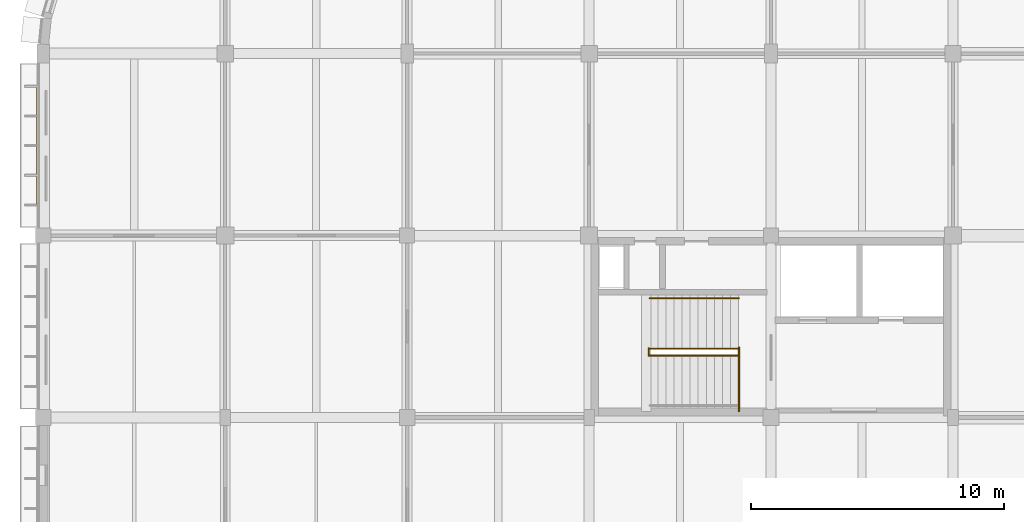
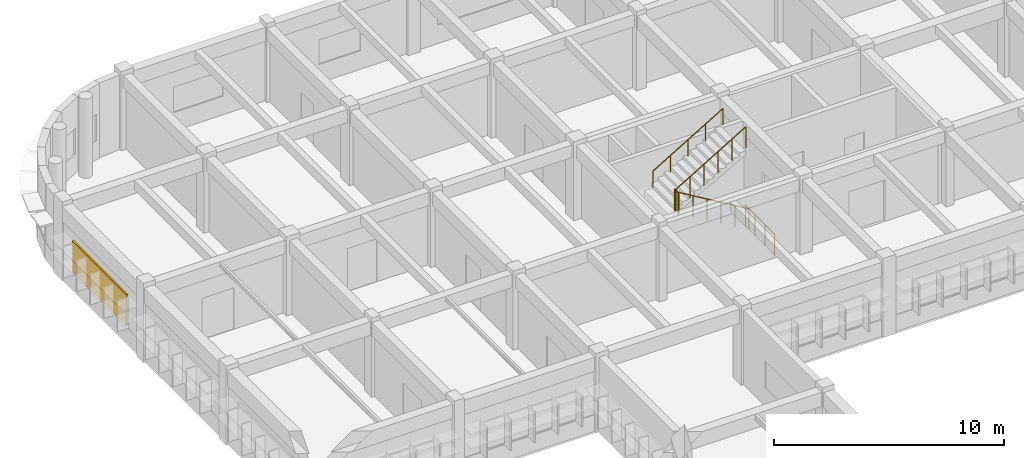
# One storey, part 36 of 38: 5 railings, 1 shading device.
"""IFC4 building model written with IfcOpenShell, lengths in metres."""

from ifc_helpers import new_model, si_unit, direction, frame, origin, origin_2d, place, context, subcontext, project, spatial, rectangle, circle, extrude, material, layer, layer_set, type_object, element, save


model = new_model("IFC4")

# Units and contexts
model_context = context("Model", 3, precision=1e-05, world=origin(), true_north=direction((0.0, 1.0)))
body_context = subcontext(model_context, "Body", "Model", "MODEL_VIEW")
ifc_project = project(units=[si_unit("LENGTHUNIT", "METRE"), si_unit("AREAUNIT", "SQUARE_METRE"), si_unit("VOLUMEUNIT", "CUBIC_METRE"), si_unit("PLANEANGLEUNIT", "RADIAN"), si_unit("MASSUNIT", "GRAM", prefix="KILO")], contexts=[model_context])

# Site, building, storey
site_placement = place(None, origin())
site = spatial("IfcSite", under=ifc_project, at=site_placement, CompositionType="ELEMENT")
building_placement = place(site_placement, origin())
building = spatial("IfcBuilding", under=site, at=building_placement, Name="Thalmaran Polytechnic", CompositionType="ELEMENT")
storey_placement = place(building_placement, frame((0.0, 0.0, 18.60009765625)))
storey = spatial("IfcBuildingStorey", under=building, at=storey_placement, Name="L04", CompositionType="ELEMENT", Elevation=18.60009765625)

# Railings
ifc_material_1 = material(Name="Stainless steel 316", Category="steel")
railing_type_1 = type_object("IfcRailingType", Name="RL-GR01", PredefinedType="GUARDRAIL", material=ifc_material_1)
railing_1_placement = place(storey_placement, frame((27.530029296875, 101.050048828125, 0.0)))
element("IfcRailing", 1, at=railing_1_placement, inside=storey, type_object=railing_type_1, Name="ST2 L04 Landing Edge Guardrail", PredefinedType="GUARDRAIL", context=body_context, shape_type="SweptSolid", body=[
    extrude(circle(Radius=0.02392578125, at=origin_2d()), frame((0.0, 0.0, 1.1259765625), z_axis=(0.0, 1.0, 0.0), x_axis=(-1.0, 0.0, 0.0)), (0.0, 0.0, 1.0), 2.530029296875),
    extrude(circle(Radius=0.02099609375, at=origin_2d()), origin(), (0.0, 0.0, 1.0), 1.101806640625),
    extrude(circle(Radius=0.02099609375, at=origin_2d()), frame((0.0, 0.84326171875, 0.0)), (0.0, 0.0, 1.0), 1.101806640625),
    extrude(circle(Radius=0.02099609375, at=origin_2d()), frame((0.0, 1.686767578125, 0.0)), (0.0, 0.0, 1.0), 1.101806640625),
    extrude(circle(Radius=0.02099609375, at=origin_2d()), frame((0.0, 2.530029296875, 0.0)), (0.0, 0.0, 1.0), 1.101806640625),
])
railing_2_placement = place(storey_placement, frame((27.52001953125, 103.260009765625, 0.0)))
element("IfcRailing", 2, at=railing_2_placement, inside=storey, type_object=railing_type_1, Name="ST2 L04 Lower Flight Guardrail", PredefinedType="GUARDRAIL", context=body_context, shape_type="SweptSolid", body=[
    extrude(circle(Radius=0.02392578125, at=origin_2d()), frame((0.0, 0.0, 1.1259765625), z_axis=(-0.858798815627, 0.0, 0.512312984686), x_axis=(0.0, -1.0, 0.0)), (0.0, 0.0, 1.0), 4.098876953125),
    extrude(circle(Radius=0.02099609375, at=origin_2d()), origin(), (0.0, 0.0, 1.0), 1.101806640625),
    extrude(circle(Radius=0.02099609375, at=origin_2d()), frame((-0.7041015625, 0.0, 0.419921875)), (0.0, 0.0, 1.0), 1.101806640625),
    extrude(circle(Radius=0.02099609375, at=origin_2d()), frame((-1.407958984375, 0.0, 0.83984375)), (0.0, 0.0, 1.0), 1.101806640625),
    extrude(circle(Radius=0.02099609375, at=origin_2d()), frame((-2.112060546875, 0.0, 1.260009765625)), (0.0, 0.0, 1.0), 1.101806640625),
    extrude(circle(Radius=0.02099609375, at=origin_2d()), frame((-2.81591796875, 0.0, 1.679931640625)), (0.0, 0.0, 1.0), 1.101806640625),
    extrude(circle(Radius=0.02099609375, at=origin_2d()), frame((-3.52001953125, 0.0, 2.099853515625)), (0.0, 0.0, 1.0), 1.101806640625),
])
railing_3_placement = place(storey_placement, frame((23.9599609375, 103.239990234375, 2.099853515625)))
element("IfcRailing", 3, at=railing_3_placement, inside=storey, type_object=railing_type_1, Name="ST2 L04 Half-Landing Well Guardrail", PredefinedType="GUARDRAIL", context=body_context, shape_type="SweptSolid", body=[
    extrude(circle(Radius=0.02392578125, at=origin_2d()), frame((0.0, 0.0, 1.1259765625), z_axis=(0.0, 1.0, 0.0), x_axis=(-1.0, 0.0, 0.0)), (0.0, 0.0, 1.0), 0.300048828125),
    extrude(circle(Radius=0.02099609375, at=origin_2d()), origin(), (0.0, 0.0, 1.0), 1.101806640625),
    extrude(circle(Radius=0.02099609375, at=origin_2d()), frame((0.0, 0.300048828125, 0.0)), (0.0, 0.0, 1.0), 1.101806640625),
])
railing_4_placement = place(storey_placement, frame((24.0, 103.52001953125, 2.099853515625)))
element("IfcRailing", 4, at=railing_4_placement, inside=storey, type_object=railing_type_1, Name="ST2 L04 Upper Flight Guardrail", PredefinedType="GUARDRAIL", context=body_context, shape_type="SweptSolid", body=[
    extrude(circle(Radius=0.02392578125, at=origin_2d()), frame((0.0, 0.0, 1.1259765625), z_axis=(0.85877260855, 0.0, 0.512356913493), x_axis=(0.0, 1.0, 0.0)), (0.0, 0.0, 1.0), 4.098876953125),
    extrude(circle(Radius=0.02099609375, at=origin_2d()), origin(), (0.0, 0.0, 1.0), 1.101806640625),
    extrude(circle(Radius=0.02099609375, at=origin_2d()), frame((0.7041015625, 0.0, 0.419921875)), (0.0, 0.0, 1.0), 1.101806640625),
    extrude(circle(Radius=0.02099609375, at=origin_2d()), frame((1.407958984375, 0.0, 0.840087890625)), (0.0, 0.0, 1.0), 1.101806640625),
    extrude(circle(Radius=0.02099609375, at=origin_2d()), frame((2.112060546875, 0.0, 1.260009765625)), (0.0, 0.0, 1.0), 1.101806640625),
    extrude(circle(Radius=0.02099609375, at=origin_2d()), frame((2.81591796875, 0.0, 1.68017578125)), (0.0, 0.0, 1.0), 1.101806640625),
    extrude(circle(Radius=0.02099609375, at=origin_2d()), frame((3.52001953125, 0.0, 2.10009765625)), (0.0, 0.0, 1.0), 1.101806640625),
])
railing_type_2 = type_object("IfcRailingType", Name="RL-HR01", PredefinedType="HANDRAIL", material=ifc_material_1)
railing_5_placement = place(storey_placement, frame((24.0, 105.52001953125, 2.099853515625)))
element("IfcRailing", 5, at=railing_5_placement, inside=storey, type_object=railing_type_2, Name="ST2 L04 Flight 2 Handrail", PredefinedType="HANDRAIL", context=body_context, shape_type="SweptSolid", body=[
    extrude(circle(Radius=0.02392578125, at=origin_2d()), frame((0.0, 0.0, 0.8759765625), z_axis=(0.85877260855, 0.0, 0.512356913493), x_axis=(0.0, 1.0, 0.0)), (0.0, 0.0, 1.0), 4.098876953125),
    extrude(circle(Radius=0.02099609375, at=origin_2d()), origin(), (0.0, 0.0, 1.0), 0.851806640625),
    extrude(circle(Radius=0.02099609375, at=origin_2d()), frame((0.8798828125, 0.0, 0.52490234375)), (0.0, 0.0, 1.0), 0.851806640625),
    extrude(circle(Radius=0.02099609375, at=origin_2d()), frame((1.760009765625, 0.0, 1.050048828125)), (0.0, 0.0, 1.0), 0.851806640625),
    extrude(circle(Radius=0.02099609375, at=origin_2d()), frame((2.64013671875, 0.0, 1.5751953125)), (0.0, 0.0, 1.0), 0.851806640625),
    extrude(circle(Radius=0.02099609375, at=origin_2d()), frame((3.52001953125, 0.0, 2.10009765625)), (0.0, 0.0, 1.0), 0.851806640625),
])

# Shading device
ifc_material_2 = material(Name="Perforated anodised-bronze aluminium screen", Category="aluminium")
ifc_layer = layer(ifc_material_2, 0.080078125, Name="Perforated anodised-bronze aluminium screen")
ifc_layer_set = layer_set([ifc_layer], Name="Perforated anodised-bronze aluminium screen")
shading_device_type = type_object("IfcShadingDeviceType", Name="SH-JL01", PredefinedType="JALOUSIE", material=ifc_layer_set)
shading_device_placement = place(storey_placement, frame((-0.219970703125, 111.60009765625, 1.02490234375), z_axis=(0.0, 0.0, 1.0), x_axis=(0.0, 1.0, 0.0)))
element("IfcShadingDevice", 6, at=shading_device_placement, inside=storey, type_object=shading_device_type, Name="Anodised-Bronze Mashrabiya Solar Screen L04-044", PredefinedType="JALOUSIE", context=body_context, shape_type="SweptSolid", body=[
    extrude(rectangle(XDim=4.697998046875, YDim=0.080078125, at=origin_2d()), origin(), (0.0, 0.0, 1.0), 1.64990234375),
])

save(model, "model.ifc")
